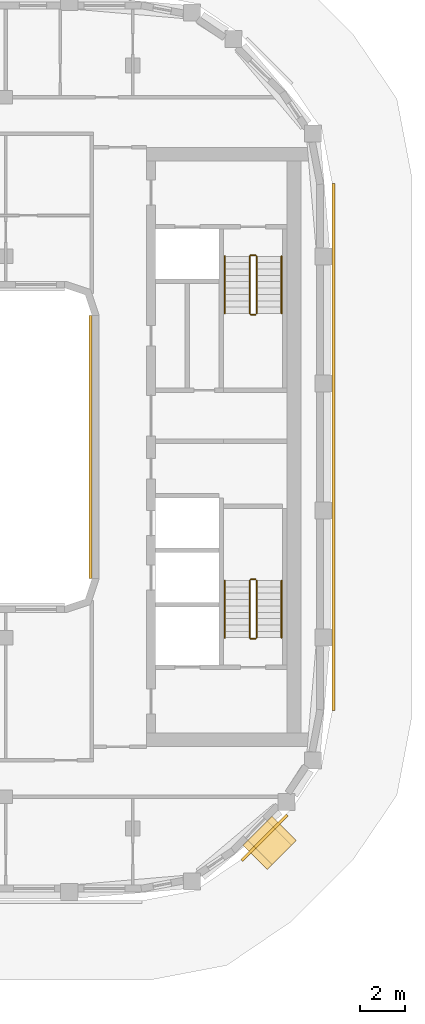
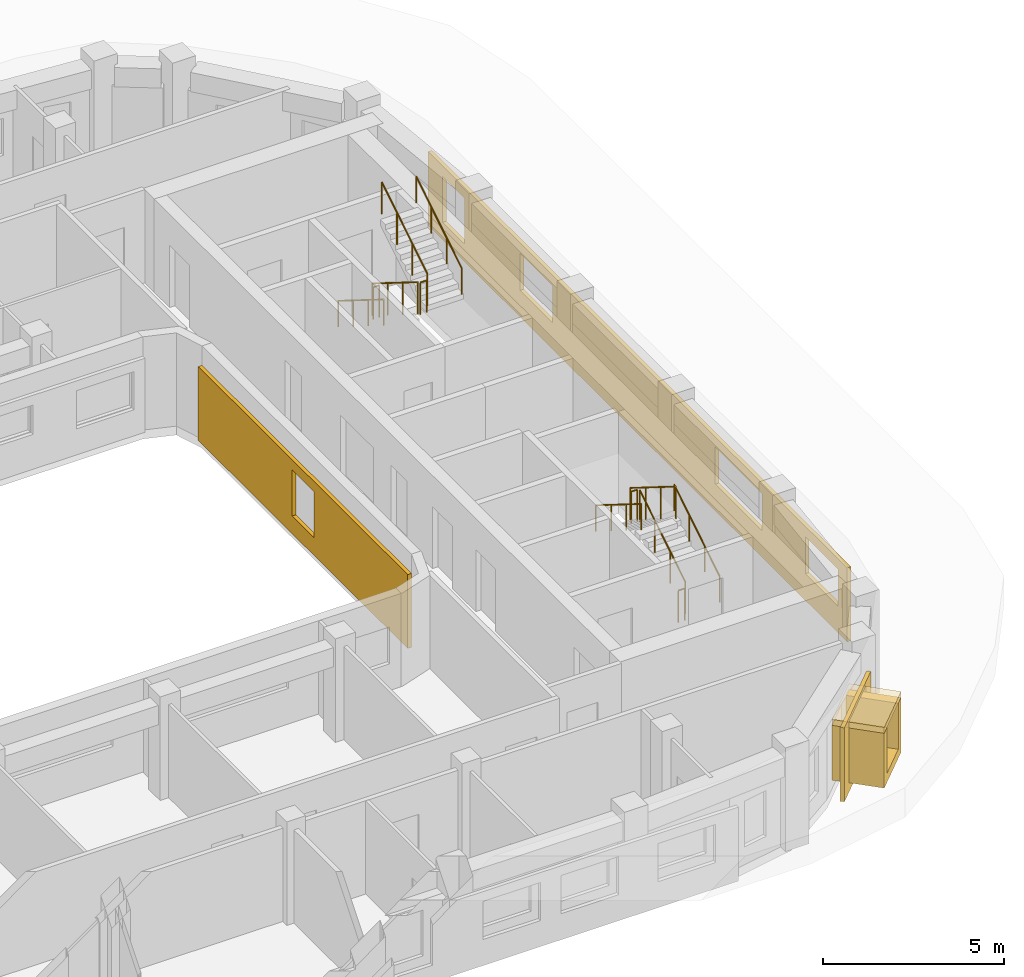
# One storey, part 13 of 14: 12 railings, 5 coverings.
"""IFC4 building model written with IfcOpenShell, lengths in metres."""

from ifc_helpers import new_model, si_unit, direction, frame, origin, origin_2d, place, context, subcontext, project, spatial, polyline, rectangle, circle, outline, extrude, material, layer, layer_set, type_object, element, save


model = new_model("IFC4")

# Units and contexts
model_context = context("Model", 3, precision=1e-05, world=origin(), true_north=direction((0.0, 1.0)))
body_context = subcontext(model_context, "Body", "Model", "MODEL_VIEW")
ifc_project = project(units=[si_unit("LENGTHUNIT", "METRE"), si_unit("AREAUNIT", "SQUARE_METRE"), si_unit("VOLUMEUNIT", "CUBIC_METRE"), si_unit("PLANEANGLEUNIT", "RADIAN"), si_unit("MASSUNIT", "GRAM", prefix="KILO")], contexts=[model_context])

# Site, building, storey
site_placement = place(None, origin())
site = spatial("IfcSite", under=ifc_project, at=site_placement, CompositionType="ELEMENT")
building_placement = place(site_placement, origin())
building = spatial("IfcBuilding", under=site, at=building_placement, Name="Kiln Ring Residences", CompositionType="ELEMENT")
storey_placement = place(building_placement, frame((0.0, 0.0, 280.199951171875)))
storey = spatial("IfcBuildingStorey", under=building, at=storey_placement, Name="L73", CompositionType="ELEMENT", Elevation=280.199951171875)

# Railings
ifc_material_1 = material(Name="Stainless steel", Category="steel")
railing_type_1 = type_object("IfcRailingType", Name="CORE-STAIR-GUARD", PredefinedType="GUARDRAIL", material=ifc_material_1)
railing_1_placement = place(storey_placement, frame((21.949951171875, 8.39990234375, 0.175048828125)))
element("IfcRailing", 1, at=railing_1_placement, inside=storey, type_object=railing_type_1, Name="L73 E-STN stair guard 1", PredefinedType="GUARDRAIL", context=body_context, shape_type="SweptSolid", body=[
    extrude(circle(Radius=0.02392578125, at=origin_2d()), frame((0.0, 0.0, 1.076171875), z_axis=(0.0, -0.848007534815, 0.529984170421), x_axis=(1.0, 0.0, 0.0)), (0.0, 0.0, 1.0), 2.9716796875),
    extrude(circle(Radius=0.02099609375, at=origin_2d()), origin(), (0.0, 0.0, 1.0), 1.052001953125),
    extrude(circle(Radius=0.02099609375, at=origin_2d()), frame((0.0, -0.840087890625, 0.52490234375)), (0.0, 0.0, 1.0), 1.052001953125),
    extrude(circle(Radius=0.02099609375, at=origin_2d()), frame((0.0, -1.679931640625, 1.050048828125)), (0.0, 0.0, 1.0), 1.052001953125),
    extrude(circle(Radius=0.02099609375, at=origin_2d()), frame((0.0, -2.52001953125, 1.574951171875)), (0.0, 0.0, 1.0), 1.052001953125),
])
railing_2_placement = place(storey_placement, frame((22.0, 5.830078125, 1.75)))
element("IfcRailing", 2, at=railing_2_placement, inside=storey, type_object=railing_type_1, Name="L73 E-STN stair guard 2", PredefinedType="GUARDRAIL", context=body_context, shape_type="SweptSolid", body=[
    extrude(circle(Radius=0.02392578125, at=origin_2d()), frame((0.0, 0.0, 1.076171875), z_axis=(1.0, 0.0, 0.0), x_axis=(0.0, 1.0, 0.0)), (0.0, 0.0, 1.0), 0.199951171875),
    extrude(circle(Radius=0.02099609375, at=origin_2d()), origin(), (0.0, 0.0, 1.0), 1.052001953125),
    extrude(circle(Radius=0.02099609375, at=origin_2d()), frame((0.199951171875, 0.0, 0.0)), (0.0, 0.0, 1.0), 1.052001953125),
])
railing_3_placement = place(storey_placement, frame((22.25, 5.8798828125, 1.925048828125)))
element("IfcRailing", 3, at=railing_3_placement, inside=storey, type_object=railing_type_1, Name="L73 E-STN stair guard 3", PredefinedType="GUARDRAIL", context=body_context, shape_type="SweptSolid", body=[
    extrude(circle(Radius=0.02392578125, at=origin_2d()), frame((0.0, 0.0, 1.076171875), z_axis=(0.0, 0.848007534815, 0.529984170421), x_axis=(-1.0, 0.0, 0.0)), (0.0, 0.0, 1.0), 2.9716796875),
    extrude(circle(Radius=0.02099609375, at=origin_2d()), origin(), (0.0, 0.0, 1.0), 1.052001953125),
    extrude(circle(Radius=0.02099609375, at=origin_2d()), frame((0.0, 0.840087890625, 0.52490234375)), (0.0, 0.0, 1.0), 1.052001953125),
    extrude(circle(Radius=0.02099609375, at=origin_2d()), frame((0.0, 1.679931640625, 1.050048828125)), (0.0, 0.0, 1.0), 1.052001953125),
    extrude(circle(Radius=0.02099609375, at=origin_2d()), frame((0.0, 2.52001953125, 1.574951171875)), (0.0, 0.0, 1.0), 1.052001953125),
])
railing_4_placement = place(storey_placement, frame((22.0, 8.449951171875, 0.0)))
element("IfcRailing", 4, at=railing_4_placement, inside=storey, type_object=railing_type_1, Name="L73 E-STN stair guard 4", PredefinedType="GUARDRAIL", context=body_context, shape_type="SweptSolid", body=[
    extrude(circle(Radius=0.02392578125, at=origin_2d()), frame((0.0, 0.0, 1.076171875), z_axis=(1.0, 0.0, 0.0), x_axis=(0.0, 1.0, 0.0)), (0.0, 0.0, 1.0), 0.199951171875),
    extrude(circle(Radius=0.02099609375, at=origin_2d()), origin(), (0.0, 0.0, 1.0), 1.052001953125),
    extrude(circle(Radius=0.02099609375, at=origin_2d()), frame((0.199951171875, 0.0, 0.0)), (0.0, 0.0, 1.0), 1.052001953125),
])
railing_5_placement = place(storey_placement, frame((22.25, -8.39990234375, 0.175048828125)))
element("IfcRailing", 5, at=railing_5_placement, inside=storey, type_object=railing_type_1, Name="L73 E-STS stair guard 1", PredefinedType="GUARDRAIL", context=body_context, shape_type="SweptSolid", body=[
    extrude(circle(Radius=0.02392578125, at=origin_2d()), frame((0.0, 0.0, 1.076171875), z_axis=(0.0, 0.848007534815, 0.529984170421), x_axis=(-1.0, 0.0, 0.0)), (0.0, 0.0, 1.0), 2.9716796875),
    extrude(circle(Radius=0.02099609375, at=origin_2d()), origin(), (0.0, 0.0, 1.0), 1.052001953125),
    extrude(circle(Radius=0.02099609375, at=origin_2d()), frame((0.0, 0.840087890625, 0.52490234375)), (0.0, 0.0, 1.0), 1.052001953125),
    extrude(circle(Radius=0.02099609375, at=origin_2d()), frame((0.0, 1.679931640625, 1.050048828125)), (0.0, 0.0, 1.0), 1.052001953125),
    extrude(circle(Radius=0.02099609375, at=origin_2d()), frame((0.0, 2.52001953125, 1.574951171875)), (0.0, 0.0, 1.0), 1.052001953125),
])
railing_6_placement = place(storey_placement, frame((22.199951171875, -5.830078125, 1.75)))
element("IfcRailing", 6, at=railing_6_placement, inside=storey, type_object=railing_type_1, Name="L73 E-STS stair guard 2", PredefinedType="GUARDRAIL", context=body_context, shape_type="SweptSolid", body=[
    extrude(circle(Radius=0.02392578125, at=origin_2d()), frame((0.0, 0.0, 1.076171875), z_axis=(-1.0, 0.0, 0.0), x_axis=(0.0, -1.0, 0.0)), (0.0, 0.0, 1.0), 0.199951171875),
    extrude(circle(Radius=0.02099609375, at=origin_2d()), origin(), (0.0, 0.0, 1.0), 1.052001953125),
    extrude(circle(Radius=0.02099609375, at=origin_2d()), frame((-0.199951171875, 0.0, 0.0)), (0.0, 0.0, 1.0), 1.052001953125),
])
railing_7_placement = place(storey_placement, frame((21.949951171875, -5.8798828125, 1.925048828125)))
element("IfcRailing", 7, at=railing_7_placement, inside=storey, type_object=railing_type_1, Name="L73 E-STS stair guard 3", PredefinedType="GUARDRAIL", context=body_context, shape_type="SweptSolid", body=[
    extrude(circle(Radius=0.02392578125, at=origin_2d()), frame((0.0, 0.0, 1.076171875), z_axis=(0.0, -0.848007534815, 0.529984170421), x_axis=(1.0, 0.0, 0.0)), (0.0, 0.0, 1.0), 2.9716796875),
    extrude(circle(Radius=0.02099609375, at=origin_2d()), origin(), (0.0, 0.0, 1.0), 1.052001953125),
    extrude(circle(Radius=0.02099609375, at=origin_2d()), frame((0.0, -0.840087890625, 0.52490234375)), (0.0, 0.0, 1.0), 1.052001953125),
    extrude(circle(Radius=0.02099609375, at=origin_2d()), frame((0.0, -1.679931640625, 1.050048828125)), (0.0, 0.0, 1.0), 1.052001953125),
    extrude(circle(Radius=0.02099609375, at=origin_2d()), frame((0.0, -2.52001953125, 1.574951171875)), (0.0, 0.0, 1.0), 1.052001953125),
])
railing_8_placement = place(storey_placement, frame((22.199951171875, -8.449951171875, 0.0)))
element("IfcRailing", 8, at=railing_8_placement, inside=storey, type_object=railing_type_1, Name="L73 E-STS stair guard 4", PredefinedType="GUARDRAIL", context=body_context, shape_type="SweptSolid", body=[
    extrude(circle(Radius=0.02392578125, at=origin_2d()), frame((0.0, 0.0, 1.076171875), z_axis=(-1.0, 0.0, 0.0), x_axis=(0.0, -1.0, 0.0)), (0.0, 0.0, 1.0), 0.199951171875),
    extrude(circle(Radius=0.02099609375, at=origin_2d()), origin(), (0.0, 0.0, 1.0), 1.052001953125),
    extrude(circle(Radius=0.02099609375, at=origin_2d()), frame((-0.199951171875, 0.0, 0.0)), (0.0, 0.0, 1.0), 1.052001953125),
])
ifc_material_2 = material(Name="Stainless steel", Category="steel")
railing_type_2 = type_object("IfcRailingType", Name="CORE-STAIR-HANDRAIL", PredefinedType="HANDRAIL", material=ifc_material_2)
railing_9_placement = place(storey_placement, frame((20.85009765625, 8.39990234375, 0.175048828125)))
element("IfcRailing", 9, at=railing_9_placement, inside=storey, type_object=railing_type_2, Name="L73 E-STN stair handrail 1", PredefinedType="HANDRAIL", context=body_context, shape_type="SweptSolid", body=[
    extrude(circle(Radius=0.02392578125, at=origin_2d()), frame((0.0, 0.0, 0.8759765625), z_axis=(0.0, -0.848007534815, 0.529984170421), x_axis=(1.0, 0.0, 0.0)), (0.0, 0.0, 1.0), 2.9716796875),
    extrude(circle(Radius=0.02099609375, at=origin_2d()), origin(), (0.0, 0.0, 1.0), 0.851806640625),
    extrude(circle(Radius=0.02099609375, at=origin_2d()), frame((0.0, -0.840087890625, 0.52490234375)), (0.0, 0.0, 1.0), 0.851806640625),
    extrude(circle(Radius=0.02099609375, at=origin_2d()), frame((0.0, -1.679931640625, 1.050048828125)), (0.0, 0.0, 1.0), 0.851806640625),
    extrude(circle(Radius=0.02099609375, at=origin_2d()), frame((0.0, -2.52001953125, 1.574951171875)), (0.0, 0.0, 1.0), 0.851806640625),
])
for number, where, name in (
    (10, (23.35009765625, 5.8798828125, 1.925048828125), "L73 E-STN stair handrail 2"),
    (11, (23.35009765625, -8.39990234375, 0.175048828125), "L73 E-STS stair handrail 1"),
):
    element("IfcRailing", number, at=place(storey_placement, frame(where)), inside=storey, type_object=railing_type_2, Name=name, PredefinedType="HANDRAIL", context=body_context, shape_type="SweptSolid", body=[
        extrude(circle(Radius=0.02392578125, at=origin_2d()), frame((0.0, 0.0, 0.8759765625), z_axis=(0.0, 0.848007534815, 0.529984170421), x_axis=(-1.0, 0.0, 0.0)), (0.0, 0.0, 1.0), 2.9716796875),
        extrude(circle(Radius=0.02099609375, at=origin_2d()), origin(), (0.0, 0.0, 1.0), 0.851806640625),
        extrude(circle(Radius=0.02099609375, at=origin_2d()), frame((0.0, 0.840087890625, 0.52490234375)), (0.0, 0.0, 1.0), 0.851806640625),
        extrude(circle(Radius=0.02099609375, at=origin_2d()), frame((0.0, 1.679931640625, 1.050048828125)), (0.0, 0.0, 1.0), 0.851806640625),
        extrude(circle(Radius=0.02099609375, at=origin_2d()), frame((0.0, 2.52001953125, 1.574951171875)), (0.0, 0.0, 1.0), 0.851806640625),
    ])
railing_10_placement = place(storey_placement, frame((20.85009765625, -5.8798828125, 1.925048828125)))
element("IfcRailing", 12, at=railing_10_placement, inside=storey, type_object=railing_type_2, Name="L73 E-STS stair handrail 2", PredefinedType="HANDRAIL", context=body_context, shape_type="SweptSolid", body=[
    extrude(circle(Radius=0.02392578125, at=origin_2d()), frame((0.0, 0.0, 0.8759765625), z_axis=(0.0, -0.848007534815, 0.529984170421), x_axis=(1.0, 0.0, 0.0)), (0.0, 0.0, 1.0), 2.9716796875),
    extrude(circle(Radius=0.02099609375, at=origin_2d()), origin(), (0.0, 0.0, 1.0), 0.851806640625),
    extrude(circle(Radius=0.02099609375, at=origin_2d()), frame((0.0, -0.840087890625, 0.52490234375)), (0.0, 0.0, 1.0), 0.851806640625),
    extrude(circle(Radius=0.02099609375, at=origin_2d()), frame((0.0, -1.679931640625, 1.050048828125)), (0.0, 0.0, 1.0), 0.851806640625),
    extrude(circle(Radius=0.02099609375, at=origin_2d()), frame((0.0, -2.52001953125, 1.574951171875)), (0.0, 0.0, 1.0), 0.851806640625),
])

# Coverings
ifc_material_3 = material(Name="Brick masonry, dark clay brick", Category="masonry")
ifc_layer_1 = layer(ifc_material_3, 0.300048828125)
ifc_layer_set_1 = layer_set([ifc_layer_1], Name="FRAME CHEEKS AND SILL 1500")
covering_type_1 = type_object("IfcCoveringType", Name="FRAME CHEEKS AND SILL 1500", PredefinedType="CLADDING", material=ifc_layer_set_1)
covering_1_placement = place(storey_placement, frame((22.189697265625, -18.07080078125, 0.300048828125), z_axis=(0.0, 0.0, 1.0), x_axis=(0.707174592913, 0.707038962956, 0.0)))
element("IfcCovering", 13, at=covering_1_placement, inside=storey, type_object=covering_type_1, Name="FRAME L73", PredefinedType="CLADDING", context=body_context, shape_type="SweptSolid", body=[
    extrude(outline(polyline([(0.0, 0.0), (1.800048828125, 0.0), (1.800048828125, 1.85009765625), (1.5009765625, 1.85009765625), (1.5, 0.300048828125), (0.300048828125, 0.300048828125), (0.299072265625, 1.85009765625), (0.0, 1.85009765625), (0.0, 0.0)])), frame((0.0, 0.75, 0.0), z_axis=(0.0, -1.0, 0.0), x_axis=(1.0, 0.0, 0.0)), (0.0, 0.0, 1.0), 1.5),
])
ifc_material_4 = material(Name="Brick masonry, dark clay brick", Category="masonry")
ifc_layer_2 = layer(ifc_material_4, 0.199951171875)
ifc_layer_set_2 = layer_set([ifc_layer_2], Name="FRAME HEAD 1500")
covering_type_2 = type_object("IfcCoveringType", Name="FRAME HEAD 1500", PredefinedType="CLADDING", material=ifc_layer_set_2)
covering_2_placement = place(storey_placement, frame((22.826171875, -17.4345703125, 2.14990234375), z_axis=(0.0, 0.0, 1.0), x_axis=(0.707106781187, 0.707106781187, 0.0)))
element("IfcCovering", 14, at=covering_2_placement, inside=storey, type_object=covering_type_2, Name="FRAME HEAD L73", PredefinedType="CLADDING", context=body_context, shape_type="SweptSolid", body=[
    extrude(rectangle(XDim=1.800048828125, YDim=1.5, at=origin_2d()), origin(), (0.0, 0.0, 1.0), 0.199951171875),
])
ifc_material_5 = material(Name="Brick masonry, dark clay brick", Category="masonry")
ifc_layer_3 = layer(ifc_material_5, 0.1201171875)
ifc_layer_set_3 = layer_set([ifc_layer_3], Name="RAINSCREEN PANEL 120")
covering_type_3 = type_object("IfcCoveringType", Name="RAINSCREEN PANEL 120", PredefinedType="CLADDING", material=ifc_layer_set_3)
covering_3_placement = place(storey_placement, frame((21.604736328125, -18.21044921875, 0.0), z_axis=(0.0, 0.0, 1.0), x_axis=(0.707106781187, 0.707106781187, 0.0)))
element("IfcCovering", 15, at=covering_3_placement, inside=storey, type_object=covering_type_3, Name="RAINSCREEN L73", PredefinedType="CLADDING", context=body_context, shape_type="SweptSolid", body=[
    extrude(outline(polyline([(0.0, 0.0), (2.824951171875, 0.0), (2.824951171875, 2.5), (0.0, 2.5), (0.0, 0.0)]), holes=[polyline([(0.492431640625, 2.3701171875), (0.492431640625, 0.280029296875), (2.33251953125, 0.280029296875), (2.33251953125, 2.3701171875), (0.492431640625, 2.3701171875)])]), frame((0.0, 0.06005859375, 0.0), z_axis=(0.0, -1.0, 0.0), x_axis=(1.0, 0.0, 0.0)), (0.0, 0.0, 1.0), 0.1201171875),
])
covering_4_placement = place(storey_placement, frame((25.635009765625, -11.60009765625, 0.0), z_axis=(0.0, 0.0, 1.0), x_axis=(0.0, 1.0, 0.0)))
element("IfcCovering", 16, at=covering_4_placement, inside=storey, type_object=covering_type_3, Name="RAINSCREEN L73", PredefinedType="CLADDING", context=body_context, shape_type="SweptSolid", body=[
    extrude(outline(polyline([(0.0, 0.0), (23.199951171875, 0.0), (23.199951171875, 2.5), (0.0, 2.5), (0.0, 0.0)]), holes=[polyline([(22.387451171875, 0.60009765625), (22.387451171875, 2.150146484375), (21.1875, 2.150146484375), (21.1875, 0.60009765625), (22.387451171875, 0.60009765625)]), polyline([(2.3125, 0.900146484375), (2.3125, 2.150146484375), (0.512451171875, 2.150146484375), (0.512451171875, 0.900146484375), (2.3125, 0.900146484375)]), polyline([(7.300048828125, 0.900146484375), (7.300048828125, 2.150146484375), (4.699951171875, 2.150146484375), (4.699951171875, 0.900146484375), (7.300048828125, 0.900146484375)]), polyline([(18.10009765625, 0.900146484375), (18.10009765625, 2.150146484375), (16.300048828125, 2.150146484375), (16.300048828125, 0.900146484375), (18.10009765625, 0.900146484375)])]), frame((0.0, 0.06005859375, 0.0), z_axis=(0.0, -1.0, 0.0), x_axis=(1.0, 0.0, 0.0)), (0.0, 0.0, 1.0), 0.1201171875),
])
covering_5_placement = place(storey_placement, frame((14.93994140625, 5.800048828125, 0.0), z_axis=(0.0, 0.0, 1.0), x_axis=(0.0, -1.0, 0.0)))
element("IfcCovering", 17, at=covering_5_placement, inside=storey, type_object=covering_type_3, Name="RAINSCREEN L73", PredefinedType="CLADDING", context=body_context, shape_type="SweptSolid", body=[
    extrude(outline(polyline([(0.0, 0.0), (11.60009765625, 0.0), (11.60009765625, 2.5), (0.0, 2.5), (0.0, 0.0)]), holes=[polyline([(5.199951171875, 2.150146484375), (5.199951171875, 0.60009765625), (6.39990234375, 0.60009765625), (6.39990234375, 2.150146484375), (5.199951171875, 2.150146484375)])]), frame((0.0, 0.06005859375, 0.0), z_axis=(0.0, -1.0, 0.0), x_axis=(1.0, 0.0, 0.0)), (0.0, 0.0, 1.0), 0.1201171875),
])

save(model, "model.ifc")
